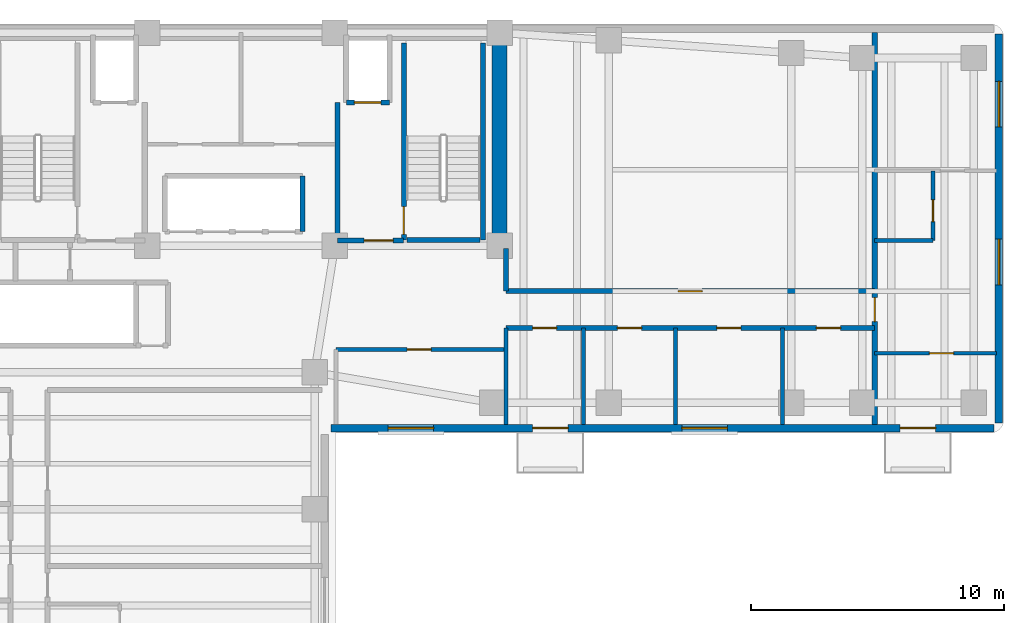
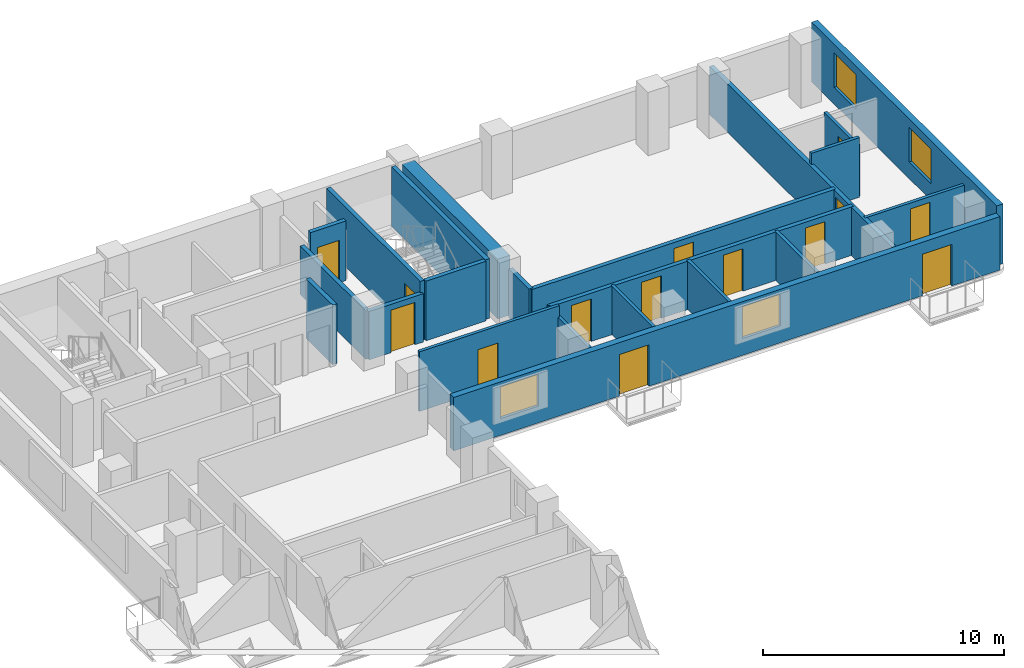
# One storey, part 4 of 7: 22 walls, 14 doors, 4 windows, 18 openings.
"""IFC4 building model written with IfcOpenShell, lengths in metres."""

import ifcopenshell
import ifcopenshell.guid

model = None  # the IFC model being written
_history = None  # IfcOwnerHistory: only IFC2X3 demands one
_inside = {}  # id of a spatial element -> (the spatial element, [elements in it])
_under = {}  # id of a project, library or spatial element -> (it, [spatial elements below it])
_declared = {}  # id of a project -> (the project, [libraries it declares])
_typed = {}  # id of a type object -> (the type object, [elements of that type])
_made_of = {}  # id of a material, layer set ... -> (it, [elements and type objects made of it])


def new_model(schema):
    """Start an empty IFC model of exactly this schema.

    Asked for "IFC4X3", IfcOpenShell would pick the latest addendum, in which some entities
    have other attributes; the version numbers below select the first issue.
    IFC2X3 requires an IfcOwnerHistory on every rooted entity: one is made here for all.
    """
    global model, _history
    if schema == "IFC4X3":
        model = ifcopenshell.file(schema_version=(4, 3, 0, 0))
    else:
        model = ifcopenshell.file(schema=schema)
    _inside.clear()
    _under.clear()
    _declared.clear()
    _typed.clear()
    _made_of.clear()
    _history = None
    if model.schema == "IFC2X3":
        org = make("IfcOrganization", Name="unknown")
        user = make(
            "IfcPersonAndOrganization",
            ThePerson=make("IfcPerson", FamilyName="unknown"),
            TheOrganization=org,
        )
        app = make(
            "IfcApplication",
            ApplicationDeveloper=org,
            Version="unknown",
            ApplicationFullName="unknown",
            ApplicationIdentifier="unknown",
        )
        _history = make(
            "IfcOwnerHistory",
            OwningUser=user,
            OwningApplication=app,
            ChangeAction="ADDED",
            CreationDate=0,
        )
    return model


def make(cls, **values):
    """One entity of the class cls with the attributes given. An attribute that is None is left unset."""
    return model.create_entity(
        cls, **{name: value for name, value in values.items() if value is not None}
    )


def rooted(cls, **values):
    """An entity with a GlobalId (a new one), such as an element, a storey or a relation."""
    return make(cls, GlobalId=ifcopenshell.guid.new(), OwnerHistory=_history, **values)


def si_unit(unit_type, name, prefix=None):
    """IfcSIUnit, for example si_unit("LENGTHUNIT", "METRE", prefix="MILLI")."""
    return make("IfcSIUnit", UnitType=unit_type, Prefix=prefix, Name=name)


def assignment(units):
    """IfcUnitAssignment: the units of a project."""
    return None if units is None else make("IfcUnitAssignment", Units=units)


def point(xyz):
    """IfcCartesianPoint."""
    return None if xyz is None else make("IfcCartesianPoint", Coordinates=xyz)


def direction(xyz):
    """IfcDirection."""
    return None if xyz is None else make("IfcDirection", DirectionRatios=xyz)


def frame(location, z_axis=None, x_axis=None):
    """IfcAxis2Placement3D, a coordinate frame: its origin and axes. An axis left out is left unset."""
    return make(
        "IfcAxis2Placement3D",
        Location=point(location),
        Axis=direction(z_axis),
        RefDirection=direction(x_axis),
    )


def frame_2d(location, x_axis=None):
    """IfcAxis2Placement2D, a coordinate frame in the plane: its origin and x axis."""
    return make(
        "IfcAxis2Placement2D", Location=point(location), RefDirection=direction(x_axis)
    )


def origin():
    """The frame at (0, 0, 0) with its axes left unset."""
    return frame((0.0, 0.0, 0.0))


def place(relative_to, where):
    """IfcLocalPlacement: puts the frame where relative to a parent placement (None: the world)."""
    return make(
        "IfcLocalPlacement", PlacementRelTo=relative_to, RelativePlacement=where
    )


def context(
    kind, dimensions, precision=None, world=None, true_north=None, identifier=None
):
    """IfcGeometricRepresentationContext, for example the 3D "Model" context."""
    return make(
        "IfcGeometricRepresentationContext",
        ContextIdentifier=identifier,
        ContextType=kind,
        CoordinateSpaceDimension=dimensions,
        Precision=precision,
        WorldCoordinateSystem=world,
        TrueNorth=true_north,
    )


def subcontext(parent, identifier, kind, view, scale=None):
    """IfcGeometricRepresentationSubContext, for example "Body" below "Model"."""
    return make(
        "IfcGeometricRepresentationSubContext",
        ContextIdentifier=identifier,
        ContextType=kind,
        ParentContext=parent,
        TargetScale=scale,
        TargetView=view,
    )


def project(units=None, contexts=None):
    """IfcProject with its units and contexts."""
    return rooted(
        "IfcProject",
        Name="project",
        RepresentationContexts=contexts,
        UnitsInContext=assignment(units),
    )


def spatial(cls, under=None, at=None, **own):
    """A site, building, storey or space (cls), placed at a placement, below another one or the project."""
    s = rooted(cls, ObjectPlacement=at, **own)
    if under is not None:
        _under.setdefault(under.id(), (under, []))[1].append(s)
    return s


def profile(cls, at=None, kind="AREA", **sizes):
    """A parametric profile (cls). Its sizes go by their IFC names, for example OverallWidth=200.0."""
    return make(cls, ProfileType=kind, Position=at, **sizes)


def rectangle(**sizes):
    """IfcRectangleProfileDef."""
    return profile("IfcRectangleProfileDef", **sizes)


def extrude(swept, where, along, depth):
    """IfcExtrudedAreaSolid: the profile swept, set in the frame where, extruded along a direction by depth."""
    return make(
        "IfcExtrudedAreaSolid",
        SweptArea=swept,
        Position=where,
        ExtrudedDirection=direction(along),
        Depth=depth,
    )


def shape(context_of_items, identifier, shape_type, items):
    """IfcShapeRepresentation: the items that make up one representation, for example the "Body"."""
    return make(
        "IfcShapeRepresentation",
        ContextOfItems=context_of_items,
        RepresentationIdentifier=identifier,
        RepresentationType=shape_type,
        Items=items,
    )


def material(Name=None, Category=None):
    """IfcMaterial."""
    return make("IfcMaterial", Name=Name, Category=Category)


def layer(
    of_material, thickness, ventilated=None, Name=None, Category=None, Priority=None
):
    """IfcMaterialLayer: one layer of a wall or slab, of a material (None: an air gap)."""
    return make(
        "IfcMaterialLayer",
        Material=of_material,
        LayerThickness=thickness,
        IsVentilated=ventilated,
        Name=Name,
        Category=Category,
        Priority=Priority,
    )


def layer_set(layers, Name=None):
    """IfcMaterialLayerSet."""
    return make("IfcMaterialLayerSet", MaterialLayers=layers, LayerSetName=Name)


def made_of(thing, what):
    """Note that an element or type object is made of a material, layer set ...; save() writes the relation."""
    if what is not None:
        _made_of.setdefault(what.id(), (what, []))[1].append(thing)
    return thing


def type_object(cls, material=None, **own):
    """A type object (cls), such as IfcWallType, which elements share."""
    return made_of(rooted(cls, **own), material)


def element(
    cls,
    number,
    at=None,
    inside=None,
    cuts=None,
    type_object=None,
    material=None,
    context=None,
    identifier="Body",
    shape_type=None,
    held_by="IfcProductDefinitionShape",
    body=None,
    shapes=None,
    **own,
):
    """One element of the class cls, such as IfcWall. Its Tag is "e" and its number.

    at: its placement. inside: the storey or other place that contains it. cuts: it is an
    opening in that element (IfcRelVoidsElement). A single representation is given by context,
    identifier, shape_type and body (its items); several are given by shapes. held_by: the class
    of the entity that holds the representations. save() writes the other relations.
    """
    e = rooted(cls, Tag="e%d" % number, ObjectPlacement=at, **own)
    if body is not None:
        shapes = [shape(context, identifier, shape_type, body)]
    if shapes is not None:
        e.Representation = make(held_by, Representations=shapes)
    if inside is not None:
        _inside.setdefault(inside.id(), (inside, []))[1].append(e)
    if cuts is not None:
        rooted(
            "IfcRelVoidsElement", RelatingBuildingElement=cuts, RelatedOpeningElement=e
        )
    if type_object is not None:
        _typed.setdefault(type_object.id(), (type_object, []))[1].append(e)
    return made_of(e, material)


def fill(opening, filler):
    """IfcRelFillsElement: the door or window that sits in an opening."""
    return rooted(
        "IfcRelFillsElement",
        RelatingOpeningElement=opening,
        RelatedBuildingElement=filler,
    )


def aggregate(whole, parts):
    """IfcRelAggregates: a whole, such as a stair, and the parts it consists of."""
    return rooted("IfcRelAggregates", RelatingObject=whole, RelatedObjects=parts)


def save(model, path):
    """Write the relations noted so far, then the file.

    IfcRelAggregates (storeys below a building ...), IfcRelContainedInSpatialStructure (elements
    in a storey), IfcRelDefinesByType, IfcRelAssociatesMaterial and IfcRelDeclares: one each for
    every whole, place, type object, material and project.
    """
    for whole, parts in _under.values():
        aggregate(whole, parts)
    for where, things in _inside.values():
        rooted(
            "IfcRelContainedInSpatialStructure",
            RelatedElements=things,
            RelatingStructure=where,
        )
    for kind, things in _typed.values():
        rooted("IfcRelDefinesByType", RelatedObjects=things, RelatingType=kind)
    for what, things in _made_of.values():
        rooted("IfcRelAssociatesMaterial", RelatedObjects=things, RelatingMaterial=what)
    for by, libraries in _declared.values():
        rooted("IfcRelDeclares", RelatingContext=by, RelatedDefinitions=libraries)
    model.write(path)


model = new_model("IFC4")

# Units and contexts
model_context = context("Model", 3, precision=1e-05, world=origin(), true_north=direction((0.0, 1.0)))
body_context = subcontext(model_context, "Body", "Model", "MODEL_VIEW")
ifc_project = project(units=[si_unit("LENGTHUNIT", "METRE"), si_unit("AREAUNIT", "SQUARE_METRE"), si_unit("VOLUMEUNIT", "CUBIC_METRE"), si_unit("PLANEANGLEUNIT", "RADIAN"), si_unit("MASSUNIT", "GRAM", prefix="KILO")], contexts=[model_context])

# Site, building, storey
site_placement = place(None, origin())
site = spatial("IfcSite", under=ifc_project, at=site_placement, CompositionType="ELEMENT")
building_placement = place(site_placement, origin())
building = spatial("IfcBuilding", under=site, at=building_placement, Name="Kuzgunbayir Cultural Tower", CompositionType="ELEMENT")
storey_placement = place(building_placement, frame((0.0, 0.0, 139.39990234375)))
storey = spatial("IfcBuildingStorey", under=building, at=storey_placement, Name="L40", CompositionType="ELEMENT", Elevation=139.39990234375)

# Wall
ifc_material_1 = material(Name="Concrete C60/75", Category="concrete")
ifc_layer_1 = layer(ifc_material_1, 0.60009765625)
ifc_layer_set_1 = layer_set([ifc_layer_1], Name="Concrete C60/75")
wall_type_1 = type_object("IfcWallType", Name="WAL-CORE-600", PredefinedType="SHEAR", material=ifc_layer_set_1)
wall_1_placement = place(storey_placement, frame((26.89990234375, 33.800048828125, 0.0), z_axis=(0.0, 0.0, 1.0), x_axis=(0.0, 1.0, 0.0)))
element("IfcWall", 1, at=wall_1_placement, inside=storey, type_object=wall_type_1, Name="L40 T1 Core East Shear Wall", PredefinedType="SHEAR", context=body_context, shape_type="SweptSolid", body=[
    extrude(rectangle(XDim=7.949951171875, YDim=0.60009765625, at=frame_2d((3.97509765625, 0.0))), origin(), (0.0, 0.0, 1.0), 3.02001953125),
])

# Wall, openings, doors, windows
ifc_material_2 = material(Name="Anatolian Cream Limestone", Category="masonry")
ifc_layer_2 = layer(ifc_material_2, 0.300048828125)
ifc_layer_set_2 = layer_set([ifc_layer_2], Name="Anatolian Cream Limestone")
wall_type_2 = type_object("IfcWallType", Name="WAL-EXT-STONE-300", PredefinedType="STANDARD", material=ifc_layer_set_2)
wall_2_placement = place(storey_placement, frame((20.25, 26.60009765625, 0.0), z_axis=(0.0, 0.0, 1.0), x_axis=(1.0, 0.0, 0.0)))
wall_2 = element("IfcWall", 2, at=wall_2_placement, inside=storey, type_object=wall_type_2, Name="L40 Wing B South Limestone Wall", PredefinedType="STANDARD", context=body_context, shape_type="SweptSolid", body=[
    extrude(rectangle(XDim=26.14990234375, YDim=0.300048828125, at=frame_2d((13.074951171875, 0.0))), origin(), (0.0, 0.0, 1.0), 2.710205078125),
])
opening_1_placement = place(wall_2_placement, frame((7.949951171875, 0.0, 0.0)))
opening_1 = element("IfcOpeningElement", 3, at=opening_1_placement, cuts=wall_2, Name="Opening BD-15", PredefinedType="OPENING", context=body_context, shape_type="SweptSolid", body=[
    extrude(rectangle(XDim=1.39990234375, YDim=2.10009765625, at=frame_2d((0.699951171875, 1.050048828125))), frame((0.0, 0.16015625, 0.0), z_axis=(0.0, -1.0, 0.0), x_axis=(1.0, 0.0, 0.0)), (0.0, 0.0, 1.0), 0.320068359375),
])
opening_2_placement = place(wall_2_placement, frame((22.449951171875, 0.0, 0.0)))
opening_2 = element("IfcOpeningElement", 4, at=opening_2_placement, cuts=wall_2, Name="Opening BD-15", PredefinedType="OPENING", context=body_context, shape_type="SweptSolid", body=[
    extrude(rectangle(XDim=1.39990234375, YDim=2.10009765625, at=frame_2d((0.699951171875, 1.050048828125))), frame((0.0, 0.16015625, 0.0), z_axis=(0.0, -1.0, 0.0), x_axis=(1.0, 0.0, 0.0)), (0.0, 0.0, 1.0), 0.320068359375),
])
opening_3_placement = place(wall_2_placement, frame((2.25, 0.0, 0.85009765625)))
opening_3 = element("IfcOpeningElement", 5, at=opening_3_placement, cuts=wall_2, Name="Opening WH-18", PredefinedType="OPENING", context=body_context, shape_type="SweptSolid", body=[
    extrude(rectangle(XDim=1.800048828125, YDim=1.610107421875, at=frame_2d((0.89990234375, 0.80517578125))), frame((0.0, 0.16015625, 0.0), z_axis=(0.0, -1.0, 0.0), x_axis=(1.0, 0.0, 0.0)), (0.0, 0.0, 1.0), 0.320068359375),
])
opening_4_placement = place(wall_2_placement, frame((13.840087890625, 0.0, 0.85009765625)))
opening_4 = element("IfcOpeningElement", 6, at=opening_4_placement, cuts=wall_2, Name="Opening WH-18", PredefinedType="OPENING", context=body_context, shape_type="SweptSolid", body=[
    extrude(rectangle(XDim=1.800048828125, YDim=1.610107421875, at=frame_2d((0.89990234375, 0.80517578125))), frame((0.0, 0.16015625, 0.0), z_axis=(0.0, -1.0, 0.0), x_axis=(1.0, 0.0, 0.0)), (0.0, 0.0, 1.0), 0.320068359375),
])
ifc_material_3 = material(Name="Thermally Broken Glazed Aluminium", Category="aluminium")
door_type_1 = type_object("IfcDoorType", Name="DR-BALCONY-150", OperationType="SLIDING_TO_RIGHT", PredefinedType="DOOR", material=ifc_material_3)
door_1_placement = place(opening_1_placement, origin())
door_1 = element("IfcDoor", 7, at=door_1_placement, inside=storey, type_object=door_type_1, Name="L40 South Balcony Sliding Door BAL-L40-WB1", OperationType="SLIDING_TO_RIGHT", OverallHeight=2.10009765625, OverallWidth=1.39990234375, PredefinedType="DOOR", context=body_context, shape_type="SweptSolid", body=[
    extrude(rectangle(XDim=1.39990234375, YDim=2.10009765625, at=frame_2d((0.699951171875, 1.050048828125))), frame((0.0, 0.02490234375, 0.0), z_axis=(0.0, -1.0, 0.0), x_axis=(1.0, 0.0, 0.0)), (0.0, 0.0, 1.0), 0.050048828125),
])
fill(opening_1, door_1)
door_2_placement = place(opening_2_placement, origin())
door_2 = element("IfcDoor", 8, at=door_2_placement, inside=storey, type_object=door_type_1, Name="L40 South Balcony Sliding Door BAL-L40-WB3", OperationType="SLIDING_TO_RIGHT", OverallHeight=2.10009765625, OverallWidth=1.39990234375, PredefinedType="DOOR", context=body_context, shape_type="SweptSolid", body=[
    extrude(rectangle(XDim=1.39990234375, YDim=2.10009765625, at=frame_2d((0.699951171875, 1.050048828125))), frame((0.0, 0.02490234375, 0.0), z_axis=(0.0, -1.0, 0.0), x_axis=(1.0, 0.0, 0.0)), (0.0, 0.0, 1.0), 0.050048828125),
])
fill(opening_2, door_2)
ifc_material_4 = material(Name="Solar-Control Triple Glazing", Category="glass")
window_type = type_object("IfcWindowType", Name="WIN-HOTEL-18", PartitioningType="SINGLE_PANEL", PredefinedType="WINDOW", material=ifc_material_4)
window_1_placement = place(opening_3_placement, origin())
window_1 = element("IfcWindow", 9, at=window_1_placement, inside=storey, type_object=window_type, Name="L40 WBS Facade Window 12", OverallHeight=1.610107421875, OverallWidth=1.800048828125, PartitioningType="SINGLE_PANEL", PredefinedType="WINDOW", context=body_context, shape_type="SweptSolid", body=[
    extrude(rectangle(XDim=1.800048828125, YDim=1.610107421875, at=frame_2d((0.89990234375, 0.80517578125))), frame((0.0, 0.030029296875, 0.0), z_axis=(0.0, -1.0, 0.0), x_axis=(1.0, 0.0, 0.0)), (0.0, 0.0, 1.0), 0.06005859375),
])
fill(opening_3, window_1)
window_2_placement = place(opening_4_placement, origin())
window_2 = element("IfcWindow", 10, at=window_2_placement, inside=storey, type_object=window_type, Name="L40 WBS Facade Window 13", OverallHeight=1.610107421875, OverallWidth=1.800048828125, PartitioningType="SINGLE_PANEL", PredefinedType="WINDOW", context=body_context, shape_type="SweptSolid", body=[
    extrude(rectangle(XDim=1.800048828125, YDim=1.610107421875, at=frame_2d((0.89990234375, 0.80517578125))), frame((0.0, 0.030029296875, 0.0), z_axis=(0.0, -1.0, 0.0), x_axis=(1.0, 0.0, 0.0)), (0.0, 0.0, 1.0), 0.06005859375),
])
fill(opening_4, window_2)

# Wall, openings, windows
wall_3_placement = place(storey_placement, frame((46.60009765625, 26.800048828125, 0.0), z_axis=(0.0, 0.0, 1.0), x_axis=(0.0, 1.0, 0.0)))
wall_3 = element("IfcWall", 11, at=wall_3_placement, inside=storey, type_object=wall_type_2, Name="L40 Wing B East Limestone Wall", PredefinedType="STANDARD", context=body_context, shape_type="SweptSolid", body=[
    extrude(rectangle(XDim=15.349853515625, YDim=0.300048828125, at=frame_2d((7.6748046875, 0.0))), origin(), (0.0, 0.0, 1.0), 3.02001953125),
])
opening_5_placement = place(wall_3_placement, frame((5.449951171875, 0.0, 0.85009765625)))
opening_5 = element("IfcOpeningElement", 12, at=opening_5_placement, cuts=wall_3, Name="Opening WH-18", PredefinedType="OPENING", context=body_context, shape_type="SweptSolid", body=[
    extrude(rectangle(XDim=1.800048828125, YDim=1.75, at=frame_2d((0.89990234375, 0.875))), frame((0.0, 0.16015625, 0.0), z_axis=(0.0, -1.0, 0.0), x_axis=(1.0, 0.0, 0.0)), (0.0, 0.0, 1.0), 0.320068359375),
])
opening_6_placement = place(wall_3_placement, frame((11.679931640625, 0.0, 0.85009765625)))
opening_6 = element("IfcOpeningElement", 13, at=opening_6_placement, cuts=wall_3, Name="Opening WH-18", PredefinedType="OPENING", context=body_context, shape_type="SweptSolid", body=[
    extrude(rectangle(XDim=1.800048828125, YDim=1.75, at=frame_2d((0.89990234375, 0.875))), frame((0.0, 0.16015625, 0.0), z_axis=(0.0, -1.0, 0.0), x_axis=(1.0, 0.0, 0.0)), (0.0, 0.0, 1.0), 0.320068359375),
])
window_3_placement = place(opening_5_placement, origin())
window_3 = element("IfcWindow", 14, at=window_3_placement, inside=storey, type_object=window_type, Name="L40 WBE Facade Window 4", OverallHeight=1.75, OverallWidth=1.800048828125, PartitioningType="SINGLE_PANEL", PredefinedType="WINDOW", context=body_context, shape_type="SweptSolid", body=[
    extrude(rectangle(XDim=1.800048828125, YDim=1.75, at=frame_2d((0.89990234375, 0.875))), frame((0.0, 0.030029296875, 0.0), z_axis=(0.0, -1.0, 0.0), x_axis=(1.0, 0.0, 0.0)), (0.0, 0.0, 1.0), 0.06005859375),
])
fill(opening_5, window_3)
window_4_placement = place(opening_6_placement, origin())
window_4 = element("IfcWindow", 15, at=window_4_placement, inside=storey, type_object=window_type, Name="L40 WBE Facade Window 5", OverallHeight=1.75, OverallWidth=1.800048828125, PartitioningType="SINGLE_PANEL", PredefinedType="WINDOW", context=body_context, shape_type="SweptSolid", body=[
    extrude(rectangle(XDim=1.800048828125, YDim=1.75, at=frame_2d((0.89990234375, 0.875))), frame((0.0, 0.030029296875, 0.0), z_axis=(0.0, -1.0, 0.0), x_axis=(1.0, 0.0, 0.0)), (0.0, 0.0, 1.0), 0.06005859375),
])
fill(opening_6, window_4)

# Wall, opening, door
ifc_material_5 = material(Name="Acoustic Double-Stud Drywall", Category="gypsum")
ifc_layer_3 = layer(ifc_material_5, 0.14990234375)
ifc_layer_set_3 = layer_set([ifc_layer_3], Name="Acoustic Double-Stud Drywall")
wall_type_3 = type_object("IfcWallType", Name="WAL-PART-ACOUSTIC-150", PredefinedType="PARTITIONING", material=ifc_layer_set_3)
wall_4_placement = place(storey_placement, frame((20.449951171875, 29.699951171875, 0.0), z_axis=(0.0, 0.0, 1.0), x_axis=(1.0, 0.0, 0.0)))
wall_4 = element("IfcWall", 16, at=wall_4_placement, inside=storey, type_object=wall_type_3, Name="L40 Waist Alcove North Wall", PredefinedType="PARTITIONING", context=body_context, shape_type="SweptSolid", body=[
    extrude(rectangle(XDim=6.699951171875, YDim=0.14990234375, at=frame_2d((3.35009765625, 0.0))), origin(), (0.0, 0.0, 1.0), 3.02001953125),
])
opening_7_placement = place(wall_4_placement, frame((2.800048828125, 0.0, 0.0)))
opening_7 = element("IfcOpeningElement", 17, at=opening_7_placement, cuts=wall_4, Name="Opening DI-90", PredefinedType="OPENING", context=body_context, shape_type="SweptSolid", body=[
    extrude(rectangle(XDim=0.949951171875, YDim=2.14990234375, at=frame_2d((0.47509765625, 1.074951171875))), frame((0.0, 0.0849609375, 0.0), z_axis=(0.0, -1.0, 0.0), x_axis=(1.0, 0.0, 0.0)), (0.0, 0.0, 1.0), 0.169921875),
])
ifc_material_6 = material(Name="Veneered Oak Single Leaf", Category="wood")
door_type_2 = type_object("IfcDoorType", Name="DR-INT-90", OperationType="NOTDEFINED", PredefinedType="DOOR", material=ifc_material_6)
door_3_placement = place(opening_7_placement, origin())
door_3 = element("IfcDoor", 18, at=door_3_placement, inside=storey, type_object=door_type_2, Name="L40 Waist Alcove Door", OperationType="SINGLE_SWING_LEFT", OverallHeight=2.14990234375, OverallWidth=0.949951171875, PredefinedType="DOOR", context=body_context, shape_type="SweptSolid", body=[
    extrude(rectangle(XDim=0.949951171875, YDim=2.14990234375, at=frame_2d((0.47509765625, 1.074951171875))), frame((0.0, 0.02490234375, 0.0), z_axis=(0.0, -1.0, 0.0), x_axis=(1.0, 0.0, 0.0)), (0.0, 0.0, 1.0), 0.050048828125),
])
fill(opening_7, door_3)

# Walls
for number, where, z_axis, x_axis, name in (
    (19, (27.14990234375, 26.75, 0.0), (0.0, 0.0, 1.0), (0.0, 1.0, 0.0), "L40 Waist Alcove East Wall"),
    (20, (30.2099609375, 26.75, 0.0), (0.0, 0.0, 1.0), (0.0, 1.0, 0.0), "L40 Wing B South Divider 1"),
    (21, (33.840087890625, 26.75, 0.0), (0.0, 0.0, 1.0), (0.0, 1.0, 0.0), "L40 Wing B South Divider 2"),
    (22, (38.06005859375, 26.75, 0.0), (0.0, 0.0, 1.0), (0.0, 1.0, 0.0), "L40 Wing B South Divider 3"),
):
    element("IfcWall", number, at=place(storey_placement, frame(where, z_axis=z_axis, x_axis=x_axis)), inside=storey, type_object=wall_type_3, Name=name, PredefinedType="PARTITIONING", context=body_context, shape_type="SweptSolid", body=[
        extrude(rectangle(XDim=3.800048828125, YDim=0.14990234375, at=frame_2d((1.89990234375, 0.0))), origin(), (0.0, 0.0, 1.0), 2.4501953125),
    ])
ifc_material_7 = material(Name="Aerated Concrete Blockwork", Category="masonry")
ifc_layer_4 = layer(ifc_material_7, 0.199951171875)
ifc_layer_set_4 = layer_set([ifc_layer_4], Name="Aerated Concrete Blockwork")
wall_type_4 = type_object("IfcWallType", Name="WAL-PART-FIRE-200", PredefinedType="PARTITIONING", material=ifc_layer_set_4)
wall_5_placement = place(storey_placement, frame((20.5, 34.0, 0.0), z_axis=(0.0, 0.0, 1.0), x_axis=(0.0, 1.0, 0.0)))
element("IfcWall", 23, at=wall_5_placement, inside=storey, type_object=wall_type_4, Name="L40 FFL-2 Lobby West Fire Wall", PredefinedType="PARTITIONING", context=body_context, shape_type="SweptSolid", body=[
    extrude(rectangle(XDim=5.449951171875, YDim=0.199951171875, at=frame_2d((2.72509765625, 0.0))), origin(), (0.0, 0.0, 1.0), 2.4501953125),
])

# Wall, opening, door
wall_6_placement = place(storey_placement, frame((20.5, 34.0, 0.0), z_axis=(0.0, 0.0, 1.0), x_axis=(1.0, 0.0, 0.0)))
wall_6 = element("IfcWall", 24, at=wall_6_placement, inside=storey, type_object=wall_type_4, Name="L40 FFL-2 Lobby South Fire Wall", PredefinedType="PARTITIONING", context=body_context, shape_type="SweptSolid", body=[
    extrude(rectangle(XDim=2.60009765625, YDim=0.199951171875, at=frame_2d((1.300048828125, 0.0))), origin(), (0.0, 0.0, 1.0), 2.4501953125),
])
opening_8_placement = place(wall_6_placement, frame((1.050048828125, 0.0, 0.0)))
opening_8 = element("IfcOpeningElement", 25, at=opening_8_placement, cuts=wall_6, Name="Opening DR-FFL-90", PredefinedType="OPENING", context=body_context, shape_type="SweptSolid", body=[
    extrude(rectangle(XDim=1.14990234375, YDim=2.14990234375, at=frame_2d((0.574951171875, 1.074951171875))), frame((0.0, 0.10986328125, 0.0), z_axis=(0.0, -1.0, 0.0), x_axis=(1.0, 0.0, 0.0)), (0.0, 0.0, 1.0), 0.219970703125),
])
ifc_material_8 = material(Name="Steel S355J2", Category="steel")
door_type_3 = type_object("IfcDoorType", Name="DR-FFL-90", OperationType="NOTDEFINED", PredefinedType="DOOR", material=ifc_material_8)
door_4_placement = place(opening_8_placement, origin())
door_4 = element("IfcDoor", 26, at=door_4_placement, inside=storey, type_object=door_type_3, Name="L40 Firefighting Lobby 2 Door", OperationType="SINGLE_SWING_RIGHT", OverallHeight=2.14990234375, OverallWidth=1.14990234375, PredefinedType="DOOR", context=body_context, shape_type="SweptSolid", body=[
    extrude(rectangle(XDim=1.14990234375, YDim=2.14990234375, at=frame_2d((0.574951171875, 1.074951171875))), frame((0.0, 0.02490234375, 0.0), z_axis=(0.0, -1.0, 0.0), x_axis=(1.0, 0.0, 0.0)), (0.0, 0.0, 1.0), 0.050048828125),
])
fill(opening_8, door_4)

# Wall, openings, doors
wall_7_placement = place(storey_placement, frame((27.14990234375, 30.550048828125, 0.0), z_axis=(0.0, 0.0, 1.0), x_axis=(1.0, 0.0, 0.0)))
wall_7 = element("IfcWall", 27, at=wall_7_placement, inside=storey, type_object=wall_type_4, Name="L40 Wing B Hotel Corridor South Wall", PredefinedType="PARTITIONING", context=body_context, shape_type="SweptSolid", body=[
    extrude(rectangle(XDim=14.550048828125, YDim=0.199951171875, at=frame_2d((7.27490234375, 0.0))), origin(), (0.0, 0.0, 1.0), 2.4501953125),
])
opening_9_placement = place(wall_7_placement, frame((1.050048828125, 0.0, 0.0)))
opening_9 = element("IfcOpeningElement", 28, at=opening_9_placement, cuts=wall_7, Name="Opening DI-90", PredefinedType="OPENING", context=body_context, shape_type="SweptSolid", body=[
    extrude(rectangle(XDim=0.949951171875, YDim=2.14990234375, at=frame_2d((0.47509765625, 1.074951171875))), frame((0.0, 0.10986328125, 0.0), z_axis=(0.0, -1.0, 0.0), x_axis=(1.0, 0.0, 0.0)), (0.0, 0.0, 1.0), 0.219970703125),
])
opening_10_placement = place(wall_7_placement, frame((4.39990234375, 0.0, 0.0)))
opening_10 = element("IfcOpeningElement", 29, at=opening_10_placement, cuts=wall_7, Name="Opening DI-90", PredefinedType="OPENING", context=body_context, shape_type="SweptSolid", body=[
    extrude(rectangle(XDim=0.949951171875, YDim=2.14990234375, at=frame_2d((0.47509765625, 1.074951171875))), frame((0.0, 0.10986328125, 0.0), z_axis=(0.0, -1.0, 0.0), x_axis=(1.0, 0.0, 0.0)), (0.0, 0.0, 1.0), 0.219970703125),
])
opening_11_placement = place(wall_7_placement, frame((8.320068359375, 0.0, 0.0)))
opening_11 = element("IfcOpeningElement", 30, at=opening_11_placement, cuts=wall_7, Name="Opening DI-90", PredefinedType="OPENING", context=body_context, shape_type="SweptSolid", body=[
    extrude(rectangle(XDim=0.949951171875, YDim=2.14990234375, at=frame_2d((0.47509765625, 1.074951171875))), frame((0.0, 0.10986328125, 0.0), z_axis=(0.0, -1.0, 0.0), x_axis=(1.0, 0.0, 0.0)), (0.0, 0.0, 1.0), 0.219970703125),
])
opening_12_placement = place(wall_7_placement, frame((12.25, 0.0, 0.0)))
opening_12 = element("IfcOpeningElement", 31, at=opening_12_placement, cuts=wall_7, Name="Opening DI-90", PredefinedType="OPENING", context=body_context, shape_type="SweptSolid", body=[
    extrude(rectangle(XDim=0.949951171875, YDim=2.14990234375, at=frame_2d((0.47509765625, 1.074951171875))), frame((0.0, 0.10986328125, 0.0), z_axis=(0.0, -1.0, 0.0), x_axis=(1.0, 0.0, 0.0)), (0.0, 0.0, 1.0), 0.219970703125),
])
door_5_placement = place(opening_9_placement, origin())
door_5 = element("IfcDoor", 32, at=door_5_placement, inside=storey, type_object=door_type_2, Name="L40 Culinary Tasting Pantry B1 Door", OperationType="SINGLE_SWING_RIGHT", OverallHeight=2.14990234375, OverallWidth=0.949951171875, PredefinedType="DOOR", context=body_context, shape_type="SweptSolid", body=[
    extrude(rectangle(XDim=0.949951171875, YDim=2.14990234375, at=frame_2d((0.47509765625, 1.074951171875))), frame((0.0, 0.02490234375, 0.0), z_axis=(0.0, -1.0, 0.0), x_axis=(1.0, 0.0, 0.0)), (0.0, 0.0, 1.0), 0.050048828125),
])
fill(opening_9, door_5)
door_6_placement = place(opening_10_placement, origin())
door_6 = element("IfcDoor", 33, at=door_6_placement, inside=storey, type_object=door_type_2, Name="L40 Culinary Tasting Pantry B2 Door", OperationType="SINGLE_SWING_LEFT", OverallHeight=2.14990234375, OverallWidth=0.949951171875, PredefinedType="DOOR", context=body_context, shape_type="SweptSolid", body=[
    extrude(rectangle(XDim=0.949951171875, YDim=2.14990234375, at=frame_2d((0.47509765625, 1.074951171875))), frame((0.0, 0.02490234375, 0.0), z_axis=(0.0, -1.0, 0.0), x_axis=(1.0, 0.0, 0.0)), (0.0, 0.0, 1.0), 0.050048828125),
])
fill(opening_10, door_6)
door_7_placement = place(opening_11_placement, origin())
door_7 = element("IfcDoor", 34, at=door_7_placement, inside=storey, type_object=door_type_2, Name="L40 Culinary Tasting Pantry B3 Door", OperationType="SINGLE_SWING_RIGHT", OverallHeight=2.14990234375, OverallWidth=0.949951171875, PredefinedType="DOOR", context=body_context, shape_type="SweptSolid", body=[
    extrude(rectangle(XDim=0.949951171875, YDim=2.14990234375, at=frame_2d((0.47509765625, 1.074951171875))), frame((0.0, 0.02490234375, 0.0), z_axis=(0.0, -1.0, 0.0), x_axis=(1.0, 0.0, 0.0)), (0.0, 0.0, 1.0), 0.050048828125),
])
fill(opening_11, door_7)
door_8_placement = place(opening_12_placement, origin())
door_8 = element("IfcDoor", 35, at=door_8_placement, inside=storey, type_object=door_type_2, Name="L40 Culinary Tasting Pantry B4 Door", OperationType="SINGLE_SWING_LEFT", OverallHeight=2.14990234375, OverallWidth=0.949951171875, PredefinedType="DOOR", context=body_context, shape_type="SweptSolid", body=[
    extrude(rectangle(XDim=0.949951171875, YDim=2.14990234375, at=frame_2d((0.47509765625, 1.074951171875))), frame((0.0, 0.02490234375, 0.0), z_axis=(0.0, -1.0, 0.0), x_axis=(1.0, 0.0, 0.0)), (0.0, 0.0, 1.0), 0.050048828125),
])
fill(opening_12, door_8)

# Wall, opening, door
wall_8_placement = place(storey_placement, frame((27.14990234375, 32.0, 0.0), z_axis=(0.0, 0.0, 1.0), x_axis=(1.0, 0.0, 0.0)))
wall_8 = element("IfcWall", 36, at=wall_8_placement, inside=storey, type_object=wall_type_4, Name="L40 Wing B Hotel Corridor North Wall", PredefinedType="PARTITIONING", context=body_context, shape_type="SweptSolid", body=[
    extrude(rectangle(XDim=14.550048828125, YDim=0.199951171875, at=frame_2d((7.27490234375, 0.0))), origin(), (0.0, 0.0, 1.0), 2.4501953125),
])
opening_13_placement = place(wall_8_placement, frame((6.7900390625, 0.0, 0.0)))
opening_13 = element("IfcOpeningElement", 37, at=opening_13_placement, cuts=wall_8, Name="Opening DI-90", PredefinedType="OPENING", context=body_context, shape_type="SweptSolid", body=[
    extrude(rectangle(XDim=0.949951171875, YDim=2.14990234375, at=frame_2d((0.47509765625, 1.074951171875))), frame((0.0, 0.10986328125, 0.0), z_axis=(0.0, -1.0, 0.0), x_axis=(1.0, 0.0, 0.0)), (0.0, 0.0, 1.0), 0.219970703125),
])
door_9_placement = place(opening_13_placement, origin())
door_9 = element("IfcDoor", 38, at=door_9_placement, inside=storey, type_object=door_type_2, Name="L40 North Culinary Tasting Pantry 1 Door", OperationType="SINGLE_SWING_RIGHT", OverallHeight=2.14990234375, OverallWidth=0.949951171875, PredefinedType="DOOR", context=body_context, shape_type="SweptSolid", body=[
    extrude(rectangle(XDim=0.949951171875, YDim=2.14990234375, at=frame_2d((0.47509765625, 1.074951171875))), frame((0.0, 0.02490234375, 0.0), z_axis=(0.0, -1.0, 0.0), x_axis=(1.0, 0.0, 0.0)), (0.0, 0.0, 1.0), 0.050048828125),
])
fill(opening_13, door_9)

# Wall
wall_9_placement = place(storey_placement, frame((27.14990234375, 32.0, 0.0), z_axis=(0.0, 0.0, 1.0), x_axis=(0.0, 1.0, 0.0)))
element("IfcWall", 39, at=wall_9_placement, inside=storey, type_object=wall_type_4, Name="L40 Wing B North Core Closure Wall", PredefinedType="PARTITIONING", context=body_context, shape_type="SweptSolid", body=[
    extrude(rectangle(XDim=1.679931640625, YDim=0.199951171875, at=frame_2d((0.83984375, 0.0))), origin(), (0.0, 0.0, 1.0), 2.4501953125),
])

# Wall, opening, door
wall_10_placement = place(storey_placement, frame((41.699951171875, 26.75, 0.0), z_axis=(0.0, 0.0, 1.0), x_axis=(0.0, 1.0, 0.0)))
wall_10 = element("IfcWall", 40, at=wall_10_placement, inside=storey, type_object=wall_type_4, Name="L40 Wing B East Suite Wall", PredefinedType="PARTITIONING", context=body_context, shape_type="SweptSolid", body=[
    extrude(rectangle(XDim=15.449951171875, YDim=0.199951171875, at=frame_2d((7.72509765625, 0.0))), origin(), (0.0, 0.0, 1.0), 2.4501953125),
])
opening_14_placement = place(wall_10_placement, frame((4.050048828125, 0.0, 0.0)))
opening_14 = element("IfcOpeningElement", 41, at=opening_14_placement, cuts=wall_10, Name="Opening DR-APT-60", PredefinedType="OPENING", context=body_context, shape_type="SweptSolid", body=[
    extrude(rectangle(XDim=0.949951171875, YDim=2.14990234375, at=frame_2d((0.47509765625, 1.074951171875))), frame((0.0, 0.10986328125, 0.0), z_axis=(0.0, -1.0, 0.0), x_axis=(1.0, 0.0, 0.0)), (0.0, 0.0, 1.0), 0.219970703125),
])
ifc_material_9 = material(Name="Acoustic Fire Timber Leaf", Category="wood")
door_type_4 = type_object("IfcDoorType", Name="DR-APT-60", OperationType="NOTDEFINED", PredefinedType="DOOR", material=ifc_material_9)
door_10_placement = place(opening_14_placement, origin())
door_10 = element("IfcDoor", 42, at=door_10_placement, inside=storey, type_object=door_type_4, Name="L40 Corner Suite Entrance", OperationType="SINGLE_SWING_RIGHT", OverallHeight=2.14990234375, OverallWidth=0.949951171875, PredefinedType="DOOR", context=body_context, shape_type="SweptSolid", body=[
    extrude(rectangle(XDim=0.949951171875, YDim=2.14990234375, at=frame_2d((0.47509765625, 1.074951171875))), frame((0.0, 0.02490234375, 0.0), z_axis=(0.0, -1.0, 0.0), x_axis=(1.0, 0.0, 0.0)), (0.0, 0.0, 1.0), 0.050048828125),
])
fill(opening_14, door_10)

ifc_material_10 = material(Name="Moisture-Resistant Tile Partition", Category="gypsum")
ifc_layer_5 = layer(ifc_material_10, 0.14990234375)
ifc_layer_set_5 = layer_set([ifc_layer_5], Name="Moisture-Resistant Tile Partition")
wall_type_5 = type_object("IfcWallType", Name="WAL-PART-WET-150", PredefinedType="PARTITIONING", material=ifc_layer_set_5)
wall_11_placement = place(storey_placement, frame((41.699951171875, 29.550048828125, 0.0), z_axis=(0.0, 0.0, 1.0), x_axis=(1.0, 0.0, 0.0)))
wall_11 = element("IfcWall", 43, at=wall_11_placement, inside=storey, type_object=wall_type_5, Name="L40 Corner Suite Kitchen Wall", PredefinedType="PARTITIONING", context=body_context, shape_type="SweptSolid", body=[
    extrude(rectangle(XDim=4.800048828125, YDim=0.14990234375, at=frame_2d((2.39990234375, 0.0))), origin(), (0.0, 0.0, 1.0), 2.4501953125),
])
opening_15_placement = place(wall_11_placement, frame((2.159912109375, 0.0, 0.0)))
opening_15 = element("IfcOpeningElement", 44, at=opening_15_placement, cuts=wall_11, Name="Opening DI-90", PredefinedType="OPENING", context=body_context, shape_type="SweptSolid", body=[
    extrude(rectangle(XDim=0.949951171875, YDim=2.14990234375, at=frame_2d((0.47509765625, 1.074951171875))), frame((0.0, 0.0849609375, 0.0), z_axis=(0.0, -1.0, 0.0), x_axis=(1.0, 0.0, 0.0)), (0.0, 0.0, 1.0), 0.169921875),
])
door_11_placement = place(opening_15_placement, origin())
door_11 = element("IfcDoor", 45, at=door_11_placement, inside=storey, type_object=door_type_2, Name="L40 Corner Suite Kitchen Door", OperationType="SINGLE_SWING_LEFT", OverallHeight=2.14990234375, OverallWidth=0.949951171875, PredefinedType="DOOR", context=body_context, shape_type="SweptSolid", body=[
    extrude(rectangle(XDim=0.949951171875, YDim=2.14990234375, at=frame_2d((0.47509765625, 1.074951171875))), frame((0.0, 0.02490234375, 0.0), z_axis=(0.0, -1.0, 0.0), x_axis=(1.0, 0.0, 0.0)), (0.0, 0.0, 1.0), 0.050048828125),
])
fill(opening_15, door_11)

# Wall
wall_12_placement = place(storey_placement, frame((41.699951171875, 34.0, 0.0), z_axis=(0.0, 0.0, 1.0), x_axis=(1.0, 0.0, 0.0)))
element("IfcWall", 46, at=wall_12_placement, inside=storey, type_object=wall_type_5, Name="L40 Corner Suite Bath South Wall", PredefinedType="PARTITIONING", context=body_context, shape_type="SweptSolid", body=[
    extrude(rectangle(XDim=2.300048828125, YDim=0.14990234375, at=frame_2d((1.14990234375, 0.0))), origin(), (0.0, 0.0, 1.0), 3.02001953125),
])

# Wall, opening, door
wall_13_placement = place(storey_placement, frame((44.0, 34.0, 0.0), z_axis=(0.0, 0.0, 1.0), x_axis=(0.0, 1.0, 0.0)))
wall_13 = element("IfcWall", 47, at=wall_13_placement, inside=storey, type_object=wall_type_5, Name="L40 Corner Suite Bath East Wall", PredefinedType="PARTITIONING", context=body_context, shape_type="SweptSolid", body=[
    extrude(rectangle(XDim=2.75, YDim=0.14990234375, at=frame_2d((1.375, 0.0))), origin(), (0.0, 0.0, 1.0), 2.610107421875),
])
opening_16_placement = place(wall_13_placement, frame((0.75, 0.0, 0.0)))
opening_16 = element("IfcOpeningElement", 48, at=opening_16_placement, cuts=wall_13, Name="Opening DW-85", PredefinedType="OPENING", context=body_context, shape_type="SweptSolid", body=[
    extrude(rectangle(XDim=0.85009765625, YDim=2.10009765625, at=frame_2d((0.425048828125, 1.050048828125))), frame((0.0, 0.0849609375, 0.0), z_axis=(0.0, -1.0, 0.0), x_axis=(1.0, 0.0, 0.0)), (0.0, 0.0, 1.0), 0.169921875),
])
ifc_material_11 = material(Name="Laminate Moisture-Resistant Leaf", Category="wood")
door_type_5 = type_object("IfcDoorType", Name="DR-WET-85", OperationType="NOTDEFINED", PredefinedType="DOOR", material=ifc_material_11)
door_12_placement = place(opening_16_placement, origin())
door_12 = element("IfcDoor", 49, at=door_12_placement, inside=storey, type_object=door_type_5, Name="L40 Corner Suite Bathroom Door", OperationType="SINGLE_SWING_RIGHT", OverallHeight=2.10009765625, OverallWidth=0.85009765625, PredefinedType="DOOR", context=body_context, shape_type="SweptSolid", body=[
    extrude(rectangle(XDim=0.85009765625, YDim=2.10009765625, at=frame_2d((0.425048828125, 1.050048828125))), frame((0.0, 0.02490234375, 0.0), z_axis=(0.0, -1.0, 0.0), x_axis=(1.0, 0.0, 0.0)), (0.0, 0.0, 1.0), 0.050048828125),
])
fill(opening_16, door_12)

ifc_material_12 = material(Name="Concrete C40/50", Category="concrete")
ifc_layer_6 = layer(ifc_material_12, 0.199951171875)
ifc_layer_set_6 = layer_set([ifc_layer_6], Name="Concrete C40/50")
wall_type_6 = type_object("IfcWallType", Name="WAL-SHAFT-200", PredefinedType="MOVABLE", material=ifc_layer_set_6)
wall_14_placement = place(storey_placement, frame((20.85009765625, 39.449951171875, 0.0), z_axis=(0.0, 0.0, 1.0), x_axis=(1.0, 0.0, 0.0)))
wall_14 = element("IfcWall", 50, at=wall_14_placement, inside=storey, type_object=wall_type_6, Name="L40 FFL-2 Lift Front Wall", PredefinedType="MOVABLE", context=body_context, shape_type="SweptSolid", body=[
    extrude(rectangle(XDim=1.699951171875, YDim=0.199951171875, at=frame_2d((0.85009765625, 0.0))), origin(), (0.0, 0.0, 1.0), 3.02001953125),
])
opening_17_placement = place(wall_14_placement, frame((0.320068359375, 0.0, 0.0)))
opening_17 = element("IfcOpeningElement", 51, at=opening_17_placement, cuts=wall_14, Name="Opening LD", PredefinedType="OPENING", context=body_context, shape_type="SweptSolid", body=[
    extrude(rectangle(XDim=1.050048828125, YDim=2.14990234375, at=frame_2d((0.52490234375, 1.074951171875))), frame((0.0, 0.10986328125, 0.0), z_axis=(0.0, -1.0, 0.0), x_axis=(1.0, 0.0, 0.0)), (0.0, 0.0, 1.0), 0.219970703125),
])
ifc_material_13 = material(Name="Brushed Stainless Steel", Category="steel")
door_type_6 = type_object("IfcDoorType", Name="DR-LIFT-LANDING", OperationType="SLIDING_TO_LEFT", PredefinedType="DOOR", material=ifc_material_13)
door_13_placement = place(opening_17_placement, origin())
door_13 = element("IfcDoor", 52, at=door_13_placement, inside=storey, type_object=door_type_6, Name="L40 Lift FFL-2 Landing Door", OperationType="SLIDING_TO_LEFT", OverallHeight=2.14990234375, OverallWidth=1.050048828125, PredefinedType="DOOR", context=body_context, shape_type="SweptSolid", body=[
    extrude(rectangle(XDim=1.050048828125, YDim=2.14990234375, at=frame_2d((0.52490234375, 1.074951171875))), frame((0.0, 0.02490234375, 0.0), z_axis=(0.0, -1.0, 0.0), x_axis=(1.0, 0.0, 0.0)), (0.0, 0.0, 1.0), 0.050048828125),
])
fill(opening_17, door_13)

# Wall
wall_15_placement = place(storey_placement, frame((19.1201171875, 34.35009765625, 0.0), z_axis=(0.0, 0.0, 1.0), x_axis=(0.0, 1.0, 0.0)))
element("IfcWall", 53, at=wall_15_placement, inside=storey, type_object=wall_type_6, Name="L40 Mid-Rise Lift Shaft East Wall", PredefinedType="MOVABLE", context=body_context, shape_type="SweptSolid", body=[
    extrude(rectangle(XDim=2.199951171875, YDim=0.199951171875, at=frame_2d((1.10009765625, 0.0))), origin(), (0.0, 0.0, 1.0), 3.02001953125),
])

# Wall, opening, door
ifc_layer_7 = layer(ifc_material_12, 0.199951171875)
ifc_layer_set_7 = layer_set([ifc_layer_7], Name="Concrete C40/50")
wall_type_7 = type_object("IfcWallType", Name="WAL-STAIR-RC-200", PredefinedType="SHEAR", material=ifc_layer_set_7)
wall_16_placement = place(storey_placement, frame((23.1201171875, 34.02001953125, 0.0), z_axis=(0.0, 0.0, 1.0), x_axis=(0.0, 1.0, 0.0)))
wall_16 = element("IfcWall", 54, at=wall_16_placement, inside=storey, type_object=wall_type_7, Name="L40 Stair ST-2 West Structural Wall", PredefinedType="SHEAR", context=body_context, shape_type="SweptSolid", body=[
    extrude(rectangle(XDim=7.780029296875, YDim=0.199951171875, at=frame_2d((3.89013671875, 0.0))), origin(), (0.0, 0.0, 1.0), 3.02001953125),
])
opening_18_placement = place(wall_16_placement, frame((0.219970703125, 0.0, 0.0)))
opening_18 = element("IfcOpeningElement", 55, at=opening_18_placement, cuts=wall_16, Name="Opening DR-STAIR-90", PredefinedType="OPENING", context=body_context, shape_type="SweptSolid", body=[
    extrude(rectangle(XDim=1.10009765625, YDim=2.14990234375, at=frame_2d((0.550048828125, 1.074951171875))), frame((0.0, 0.10986328125, 0.0), z_axis=(0.0, -1.0, 0.0), x_axis=(1.0, 0.0, 0.0)), (0.0, 0.0, 1.0), 0.219970703125),
])
door_type_7 = type_object("IfcDoorType", Name="DR-STAIR-90", OperationType="NOTDEFINED", PredefinedType="DOOR", material=ifc_material_8)
door_14_placement = place(opening_18_placement, origin())
door_14 = element("IfcDoor", 56, at=door_14_placement, inside=storey, type_object=door_type_7, Name="L40 Stair ST-2 Fire Door", OperationType="SINGLE_SWING_RIGHT", OverallHeight=2.14990234375, OverallWidth=1.10009765625, PredefinedType="DOOR", context=body_context, shape_type="SweptSolid", body=[
    extrude(rectangle(XDim=1.10009765625, YDim=2.14990234375, at=frame_2d((0.550048828125, 1.074951171875))), frame((0.0, 0.02490234375, 0.0), z_axis=(0.0, -1.0, 0.0), x_axis=(1.0, 0.0, 0.0)), (0.0, 0.0, 1.0), 0.050048828125),
])
fill(opening_18, door_14)

# Walls
wall_17_placement = place(storey_placement, frame((26.239990234375, 34.02001953125, 0.0), z_axis=(0.0, 0.0, 1.0), x_axis=(0.0, 1.0, 0.0)))
element("IfcWall", 57, at=wall_17_placement, inside=storey, type_object=wall_type_7, Name="L40 Stair ST-2 East Structural Wall", PredefinedType="SHEAR", context=body_context, shape_type="SweptSolid", body=[
    extrude(rectangle(XDim=7.780029296875, YDim=0.199951171875, at=frame_2d((3.89013671875, 0.0))), origin(), (0.0, 0.0, 1.0), 3.02001953125),
])
wall_18_placement = place(storey_placement, frame((23.239990234375, 34.02001953125, 0.0), z_axis=(0.0, 0.0, 1.0), x_axis=(1.0, 0.0, 0.0)))
element("IfcWall", 58, at=wall_18_placement, inside=storey, type_object=wall_type_7, Name="L40 Stair ST-2 South Structural Wall", PredefinedType="SHEAR", context=body_context, shape_type="SweptSolid", body=[
    extrude(rectangle(XDim=2.880126953125, YDim=0.199951171875, at=frame_2d((1.43994140625, 0.0))), origin(), (0.0, 0.0, 1.0), 3.02001953125),
])

save(model, "model.ifc")
